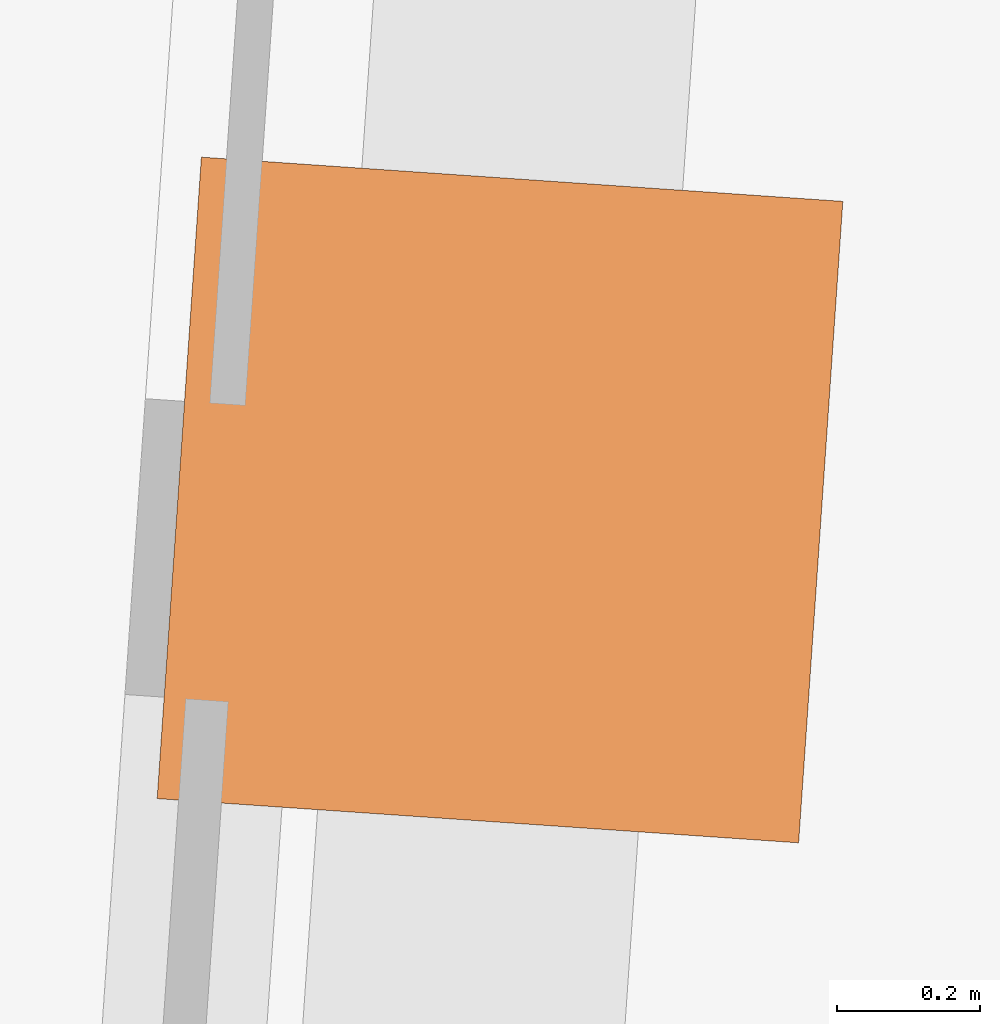
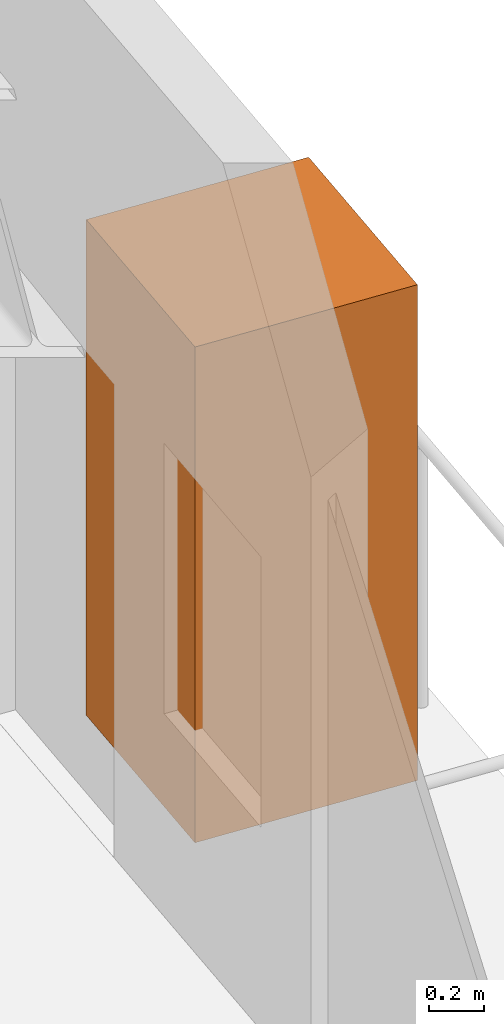
# One storey, part 11 of 11: 1 geographic element.
"""IFC4 building model written with IfcOpenShell, lengths in metres."""

from ifc_helpers import new_model, si_unit, direction, frame, origin, origin_2d, place, context, subcontext, project, spatial, rectangle, extrude, material, type_object, element, save


model = new_model("IFC4")

# Units and contexts
model_context = context("Model", 3, precision=1e-05, world=origin(), true_north=direction((0.0, 1.0)))
body_context = subcontext(model_context, "Body", "Model", "MODEL_VIEW")
ifc_project = project(units=[si_unit("LENGTHUNIT", "METRE"), si_unit("AREAUNIT", "SQUARE_METRE"), si_unit("VOLUMEUNIT", "CUBIC_METRE"), si_unit("PLANEANGLEUNIT", "RADIAN"), si_unit("MASSUNIT", "GRAM", prefix="KILO")], contexts=[model_context])

# Site, building, storey
site_placement = place(None, origin())
site = spatial("IfcSite", under=ifc_project, at=site_placement, CompositionType="ELEMENT")
building_placement = place(site_placement, origin())
building = spatial("IfcBuilding", under=site, at=building_placement, Name="Verdant Reach Tower", CompositionType="ELEMENT")
storey_placement = place(building_placement, frame((0.0, 0.0, 298.0)))
storey = spatial("IfcBuildingStorey", under=building, at=storey_placement, Name="L68", CompositionType="ELEMENT", Elevation=298.0)

# Geographic element
ifc_material = material(Name="Planting")
geographic_element_type = type_object("IfcGeographicElementType", Name="EN-TREE", PredefinedType="USERDEFINED", material=ifc_material)
geographic_element_placement = place(storey_placement, frame((21.218017578125, 55.197509765625, 0.39990234375), z_axis=(0.0, 0.0, 1.0), x_axis=(0.068802091615, 0.997630328423, 0.0)))
element("IfcGeographicElement", 1, at=geographic_element_placement, inside=storey, type_object=geographic_element_type, Name="Balcony tree, Queen palm (Syagrus romanzoffiana), L68 1", ObjectType="TREE", PredefinedType="USERDEFINED", context=body_context, shape_type="SweptSolid", body=[
    extrude(rectangle(XDim=0.89990234375, YDim=0.89990234375, at=origin_2d()), origin(), (0.0, 0.0, 1.0), 2.199951171875),
])

save(model, "model.ifc")
